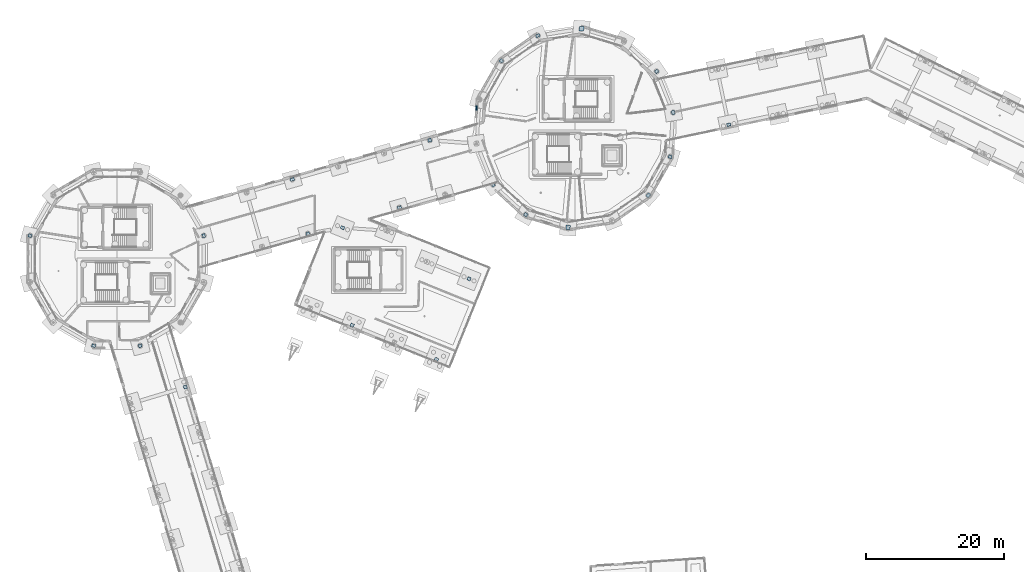
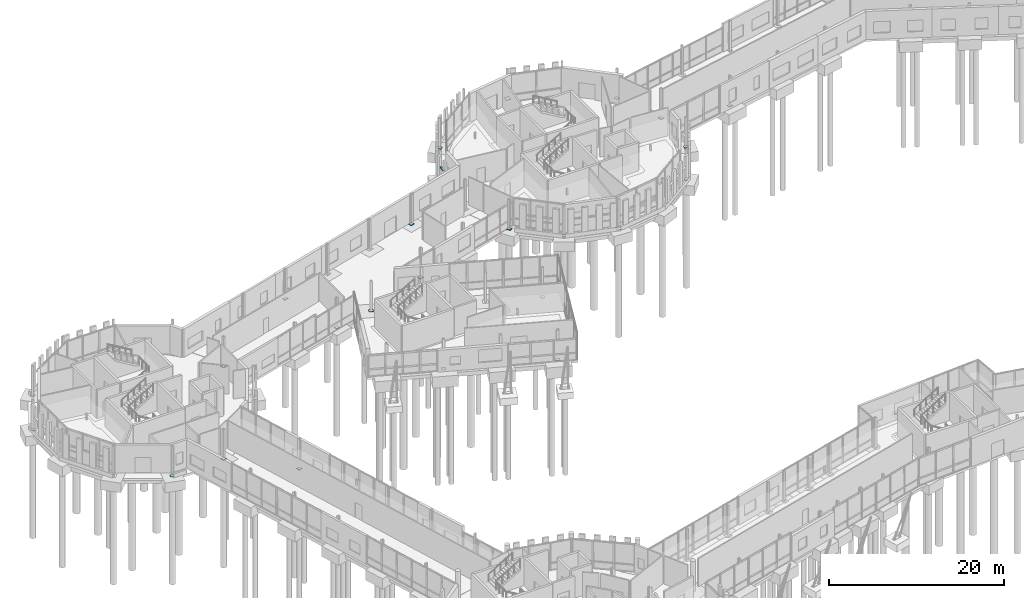
# One storey, part 76 of 113: 25 plates.
"""IFC4 building model written with IfcOpenShell, lengths in metres."""

from ifc_helpers import new_model, si_unit, direction, frame, origin, origin_2d, place, context, subcontext, project, spatial, rectangle, extrude, material, layer, layer_set, type_object, element, save


model = new_model("IFC4")

# Units and contexts
model_context = context("Model", 3, precision=1e-05, world=origin(), true_north=direction((0.0, 1.0)))
body_context = subcontext(model_context, "Body", "Model", "MODEL_VIEW")
ifc_project = project(units=[si_unit("LENGTHUNIT", "METRE"), si_unit("AREAUNIT", "SQUARE_METRE"), si_unit("VOLUMEUNIT", "CUBIC_METRE"), si_unit("PLANEANGLEUNIT", "RADIAN"), si_unit("MASSUNIT", "GRAM", prefix="KILO")], contexts=[model_context])

# Site, building, storey
site_placement = place(None, origin())
site = spatial("IfcSite", under=ifc_project, at=site_placement, CompositionType="ELEMENT")
building_placement = place(site_placement, origin())
building = spatial("IfcBuilding", under=site, at=building_placement, Name="Wrenclough Park School", CompositionType="ELEMENT")
storey_placement = place(building_placement, origin())
storey = spatial("IfcBuildingStorey", under=building, at=storey_placement, Name="L00", CompositionType="ELEMENT", Elevation=0.0)

# Plates
ifc_material_1 = material(Name="Anodised architectural aluminium solar shading fin plate", Category="aluminium")
ifc_layer_1 = layer(ifc_material_1, 0.0380859375)
ifc_layer_set_1 = layer_set([ifc_layer_1], Name="Anodised architectural aluminium solar shading fin plate")
plate_type_1 = type_object("IfcPlateType", Name="ENV-PL-BSF", PredefinedType="SHEET", material=ifc_layer_set_1)
plate_1_placement = place(storey_placement, frame((68.720947265625, 111.431884765625, 2.4951171875), z_axis=(0.0, 0.0, 1.0), x_axis=(-0.067258571961, -0.997735578446, 0.0)))
element("IfcPlate", 1, at=plate_1_placement, inside=storey, type_object=plate_type_1, Name="D4 L00 open-bond brick screen tie band 0088", PredefinedType="SHEET", context=body_context, shape_type="SweptSolid", body=[
    extrude(rectangle(XDim=0.84619140625, YDim=0.219970703125, at=origin_2d()), origin(), (0.0, 0.0, 1.0), 0.0419921875),
])
ifc_material_2 = material(Name="Structural steel S355", Category="steel")
ifc_layer_2 = layer(ifc_material_2, 0.031982421875)
ifc_layer_set_2 = layer_set([ifc_layer_2], Name="Structural steel S355")
plate_type_2 = type_object("IfcPlateType", Name="STR-PL-BP1", PredefinedType="SHEET", material=ifc_layer_set_2)
plate_2_placement = place(storey_placement, frame((83.971923828125, 122.917236328125, 0.0), z_axis=(0.0, 0.0, 1.0), x_axis=(-0.997731519333, 0.067318759124, 0.0)))
element("IfcPlate", 2, at=plate_2_placement, inside=storey, type_object=plate_type_2, Name="Steel column baseplate D4-OUT-04", PredefinedType="SHEET", context=body_context, shape_type="SweptSolid", body=[
    extrude(rectangle(XDim=0.64990234375, YDim=0.64990234375, at=origin_2d()), origin(), (0.0, 0.0, 1.0), 0.031982421875),
])
ifc_layer_3 = layer(ifc_material_2, 0.028076171875)
ifc_layer_set_3 = layer_set([ifc_layer_3], Name="Structural steel S355")
plate_type_3 = type_object("IfcPlateType", Name="STR-PL-BP2", PredefinedType="SHEET", material=ifc_layer_set_3)
for number, where, z_axis, x_axis, name in (
    (3, (49.268798828125, 94.030029296875, 0.0), (0.0, 0.0, 1.0), (0.927183854567, -0.374606593416, 0.0), "Steel column baseplate EAVE-COURTYARD-B1"),
    (4, (62.906982421875, 74.93017578125, 0.0), (0.0, 0.0, 1.0), (0.927183854567, -0.374606593416, 0.0), "Steel column baseplate EAVE-COURTYARD-F4"),
    (5, (29.105224609375, 92.877685546875, 0.0), (0.0, 0.0, 1.0), (-0.258819045103, 0.965925826289, 0.0), "Steel column baseplate D3-OUT-01"),
    (6, (13.122314453125, 76.894775390625, 0.0), (0.0, 0.0, 1.0), (0.965925826289, -0.258819045103, 0.0), "Steel column baseplate D3-OUT-09"),
    (7, (97.272216796875, 110.760498046875, 0.0), (0.0, 0.0, 1.0), (-0.15643446504, 0.987688340595, 0.0), "Steel column baseplate D4-OUT-01"),
    (8, (77.620361328125, 121.911376953125, 0.0), (0.0, 0.0, 1.0), (-0.928096422365, -0.372339939832, 0.0), "Steel column baseplate D4-OUT-05"),
    (9, (71.1220703125, 100.27099609375, 0.0), (0.0, 0.0, 1.0), (0.569423005964, -0.822044670489, 0.0), "Steel column baseplate D4-OUT-09"),
    (10, (93.665771484375, 98.7509765625, 0.0), (0.0, 0.0, 1.0), (0.674688949446, 0.738102175512, 0.0), "Steel column baseplate D4-OUT-13"),
    (11, (41.9736328125, 101.042236328125, 0.0), (0.0, 0.0, 1.0), (0.961501868857, 0.27479839189, 0.0), "Steel column baseplate W34-C1-L04"),
    (12, (57.5263671875, 96.957763671875, 0.0), (0.0, 0.0, 1.0), (0.961501868857, 0.27479839189, 0.0), "Steel column baseplate W34-C1-R06"),
    (13, (105.33984375, 108.987060546875, 0.0), (0.0, 0.0, 1.0), (0.978795946539, 0.204837728554, 0.0), "Steel column baseplate W45-C1-R03"),
):
    element("IfcPlate", number, at=place(storey_placement, frame(where, z_axis=z_axis, x_axis=x_axis)), inside=storey, type_object=plate_type_3, Name=name, PredefinedType="SHEET", context=body_context, shape_type="SweptSolid", body=[
        extrude(rectangle(XDim=0.550048828125, YDim=0.449951171875, at=origin_2d()), origin(), (0.0, 0.0, 1.0), 0.028076171875),
    ])
ifc_layer_4 = layer(ifc_material_2, 0.02587890625)
ifc_layer_set_4 = layer_set([ifc_layer_4], Name="Structural steel S355")
plate_type_4 = type_object("IfcPlateType", Name="STR-PL-BP3", PredefinedType="SHEET", material=ifc_layer_set_4)
for number, where, z_axis, x_axis, name in (
    (14, (50.668212890625, 79.875, 0.0), (0.0, 0.0, 1.0), (0.927183854567, -0.374606593416, 0.0), "Steel column baseplate EAVE-COURTYARD-F2"),
    (15, (67.627197265625, 86.61279296875, 0.0), (0.0, 0.0, 1.0), (0.927183854567, -0.374606593416, 0.0), "Steel column baseplate EAVE-COURTYARD-B4"),
    (16, (3.894775390625, 92.877685546875, 0.0), (0.0, 0.0, 1.0), (-0.258819045103, -0.965925826289, 0.0), "Steel column baseplate D3-OUT-06"),
    (17, (19.877685546875, 76.894775390625, 0.0), (0.0, 0.0, 1.0), (0.965925826289, 0.258819045103, 0.0), "Steel column baseplate D3-OUT-10"),
    (18, (94.8779296875, 116.72900390625, 0.0), (0.0, 0.0, 1.0), (-0.569423005964, 0.822044670489, 0.0), "Steel column baseplate D4-OUT-02"),
    (19, (72.334228515625, 118.2490234375, 0.0), (0.0, 0.0, 1.0), (-0.674688949446, -0.738102175512, 0.0), "Steel column baseplate D4-OUT-06"),
    (20, (75.868896484375, 95.93212890625, 0.0), (0.0, 0.0, 1.0), (0.869753437661, -0.493486532416, 0.0), "Steel column baseplate D4-OUT-10"),
    (21, (96.839599609375, 104.34423828125, 0.0), (0.0, 0.0, 1.0), (0.287527687034, 0.957772326385, 0.0), "Steel column baseplate D4-OUT-14"),
    (22, (26.423828125, 70.888916015625, 0.0), (0.0, 0.0, 1.0), (-0.290034140915, 0.957016299288, 0.0), "Steel column baseplate W23-C1-R07"),
    (23, (44.226318359375, 93.15771484375, 0.0), (0.0, 0.0, 1.0), (0.961501868857, 0.27479839189, 0.0), "Steel column baseplate W34-C1-R04"),
    (24, (61.923583984375, 106.7421875, 0.0), (0.0, 0.0, 1.0), (0.961501868857, 0.27479839189, 0.0), "Steel column baseplate W34-C1-L07"),
):
    element("IfcPlate", number, at=place(storey_placement, frame(where, z_axis=z_axis, x_axis=x_axis)), inside=storey, type_object=plate_type_4, Name=name, PredefinedType="SHEET", context=body_context, shape_type="SweptSolid", body=[
        extrude(rectangle(XDim=0.5, YDim=0.5, at=origin_2d()), origin(), (0.0, 0.0, 1.0), 0.02587890625),
    ])
ifc_layer_5 = layer(ifc_material_2, 0.030029296875)
ifc_layer_set_5 = layer_set([ifc_layer_5], Name="Structural steel S355")
plate_type_5 = type_object("IfcPlateType", Name="STR-PL-BP4", PredefinedType="SHEET", material=ifc_layer_set_5)
plate_3_placement = place(storey_placement, frame((82.028076171875, 94.082763671875, 0.0), z_axis=(0.0, 0.0, 1.0), x_axis=(0.997731519333, -0.067318759124, 0.0)))
element("IfcPlate", 25, at=plate_3_placement, inside=storey, type_object=plate_type_5, Name="Steel column baseplate D4-OUT-11", PredefinedType="SHEET", context=body_context, shape_type="SweptSolid", body=[
    extrude(rectangle(XDim=0.60009765625, YDim=0.60009765625, at=origin_2d()), origin(), (0.0, 0.0, 1.0), 0.030029296875),
])

save(model, "model.ifc")
